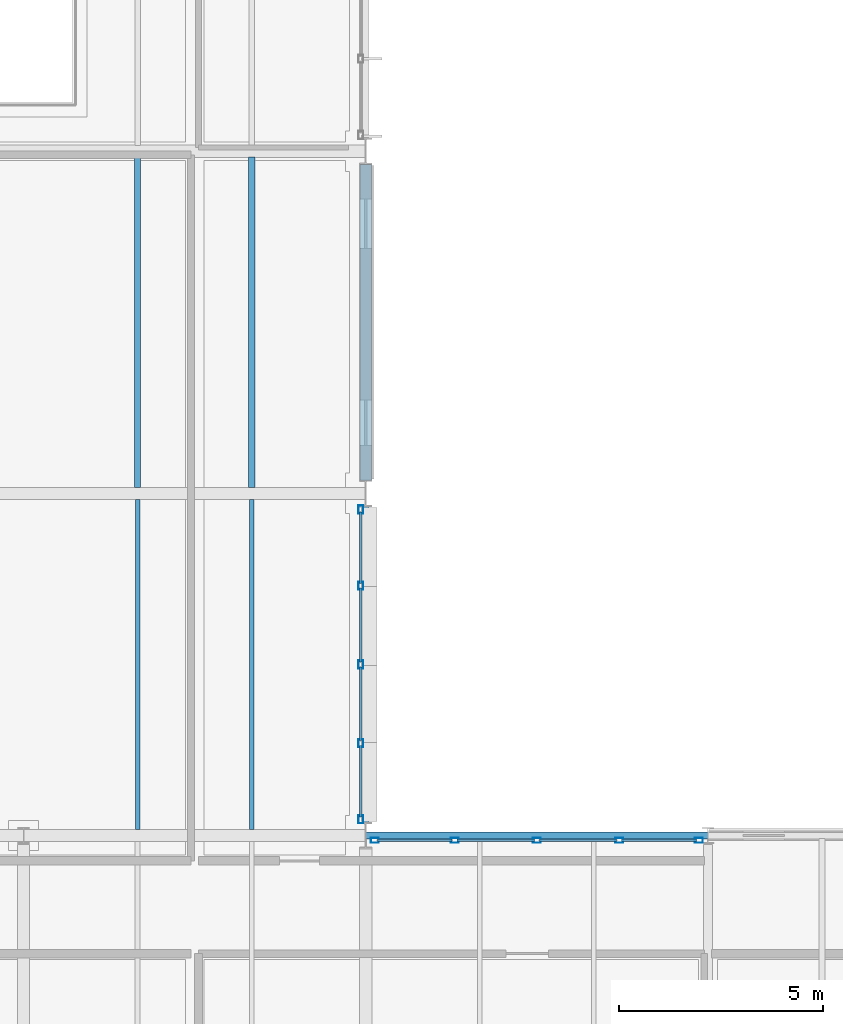
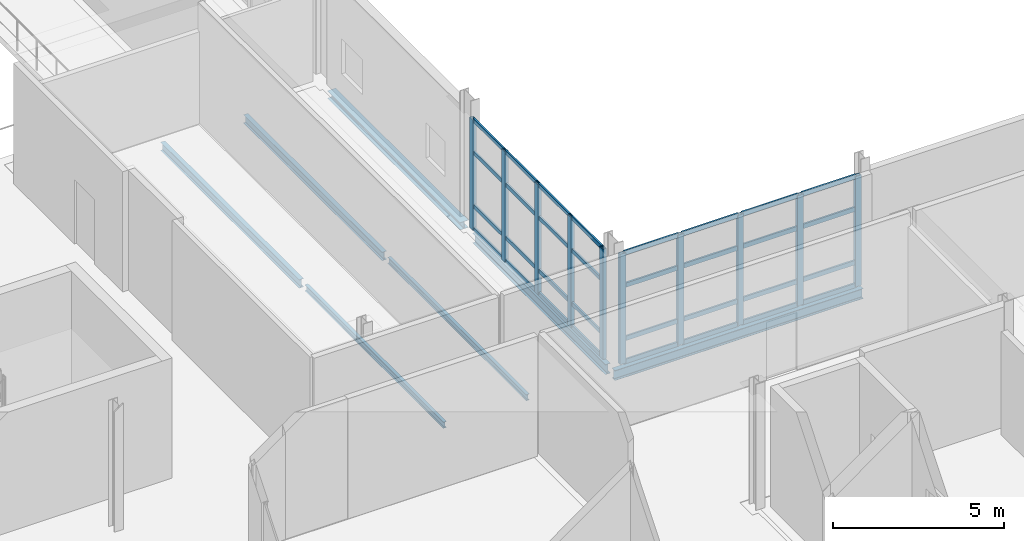
# One storey, part 33 of 129: 42 members, 7 beams, 2 elements without a shape of their own.
"""IFC4 building model written with IfcOpenShell, lengths in metres."""

from ifc_helpers import new_model, si_unit, direction, frame, origin, origin_2d, place, context, subcontext, project, spatial, hollow_rectangle, i_section, extrude, material, material_profile, profile_set, type_object, element, aggregate, save


model = new_model("IFC4")

# Units and contexts
model_context = context("Model", 3, precision=1e-05, world=origin(), true_north=direction((0.0, 1.0)))
body_context = subcontext(model_context, "Body", "Model", "MODEL_VIEW")
ifc_project = project(units=[si_unit("LENGTHUNIT", "METRE"), si_unit("AREAUNIT", "SQUARE_METRE"), si_unit("VOLUMEUNIT", "CUBIC_METRE"), si_unit("PLANEANGLEUNIT", "RADIAN"), si_unit("MASSUNIT", "GRAM", prefix="KILO")], contexts=[model_context])

# Site, building, storey
site_placement = place(None, origin())
site = spatial("IfcSite", under=ifc_project, at=site_placement, CompositionType="ELEMENT")
building_placement = place(site_placement, origin())
building = spatial("IfcBuilding", under=site, at=building_placement, Name="Mersafa Astral City Hall", CompositionType="ELEMENT")
storey_placement = place(building_placement, frame((0.0, 0.0, 5.39990234375)))
storey = spatial("IfcBuildingStorey", under=building, at=storey_placement, Name="L01", CompositionType="ELEMENT", Elevation=5.39990234375)

# Curtain wall, members
ifc_material_1 = material(Name="Anodised bronze aluminium framing", Category="aluminium")
curtain_wall_type_1 = type_object("IfcCurtainWallType", Name="ENV-CW-5", PredefinedType="USERDEFINED", material=ifc_material_1)
curtain_wall_1_placement = place(storey_placement, origin())
curtain_wall_1 = element("IfcCurtainWall", 1, at=curtain_wall_1_placement, inside=storey, type_object=curtain_wall_type_1, Name="L01 Unitised solar curtain wall 52", ObjectType="UNITISED CURTAIN WALL", PredefinedType="USERDEFINED")
ifc_material_profile_1 = material_profile(ifc_material_1, hollow_rectangle(XDim=0.1201171875, YDim=0.199951171875, WallThickness=0.008056640625, at=origin_2d()), Name="RHS 120x200x8")
ifc_profile_set_1 = profile_set([ifc_material_profile_1], Name="Anodised bronze aluminium framing")
member_type_1 = type_object("IfcMemberType", Name="ENV-CW-MUL-2", PredefinedType="MULLION", material=ifc_profile_set_1)
member_1_placement = place(storey_placement, frame((125.778076171875, 33.47998046875, -0.001953125), z_axis=(0.0, 0.0, 1.0), x_axis=(0.0, -1.0, 0.0)))
member_1 = element("IfcMember", 2, at=member_1_placement, type_object=member_type_1, Name="CW-5 mullion 1", PredefinedType="MULLION", context=body_context, shape_type="SweptSolid", body=[
    extrude(hollow_rectangle(XDim=0.1201171875, YDim=0.199951171875, WallThickness=0.008056640625, at=origin_2d()), origin(), (0.0, 0.0, 1.0), 3.93896484375),
])
member_2_placement = place(storey_placement, frame((123.819091796875, 33.47998046875, -0.001953125), z_axis=(0.0, 0.0, 1.0), x_axis=(0.0, -1.0, 0.0)))
member_2 = element("IfcMember", 3, at=member_2_placement, type_object=member_type_1, Name="CW-5 mullion 2", PredefinedType="MULLION", context=body_context, shape_type="SweptSolid", body=[
    extrude(hollow_rectangle(XDim=0.1201171875, YDim=0.199951171875, WallThickness=0.008056640625, at=origin_2d()), origin(), (0.0, 0.0, 1.0), 3.93896484375),
])
member_3_placement = place(storey_placement, frame((121.800048828125, 33.47998046875, -0.001953125), z_axis=(0.0, 0.0, 1.0), x_axis=(0.0, -1.0, 0.0)))
member_3 = element("IfcMember", 4, at=member_3_placement, type_object=member_type_1, Name="CW-5 mullion 3", PredefinedType="MULLION", context=body_context, shape_type="SweptSolid", body=[
    extrude(hollow_rectangle(XDim=0.1201171875, YDim=0.199951171875, WallThickness=0.008056640625, at=origin_2d()), origin(), (0.0, 0.0, 1.0), 3.93896484375),
])
member_4_placement = place(storey_placement, frame((119.781005859375, 33.47998046875, -0.001953125), z_axis=(0.0, 0.0, 1.0), x_axis=(0.0, -1.0, 0.0)))
member_4 = element("IfcMember", 5, at=member_4_placement, type_object=member_type_1, Name="CW-5 mullion 4", PredefinedType="MULLION", context=body_context, shape_type="SweptSolid", body=[
    extrude(hollow_rectangle(XDim=0.1201171875, YDim=0.199951171875, WallThickness=0.008056640625, at=origin_2d()), origin(), (0.0, 0.0, 1.0), 3.93896484375),
])
member_5_placement = place(storey_placement, frame((117.822021484375, 33.47998046875, -0.001953125), z_axis=(0.0, 0.0, 1.0), x_axis=(0.0, -1.0, 0.0)))
member_5 = element("IfcMember", 6, at=member_5_placement, type_object=member_type_1, Name="CW-5 mullion 5", PredefinedType="MULLION", context=body_context, shape_type="SweptSolid", body=[
    extrude(hollow_rectangle(XDim=0.1201171875, YDim=0.199951171875, WallThickness=0.008056640625, at=origin_2d()), origin(), (0.0, 0.0, 1.0), 3.93896484375),
])

curtain_wall_type_2 = type_object("IfcCurtainWallType", Name="ENV-CW-6", PredefinedType="USERDEFINED", material=ifc_material_1)
curtain_wall_2_placement = place(storey_placement, origin())
curtain_wall_2 = element("IfcCurtainWall", 7, at=curtain_wall_2_placement, inside=storey, type_object=curtain_wall_type_2, Name="L01 Unitised solar curtain wall 53", ObjectType="UNITISED CURTAIN WALL", PredefinedType="USERDEFINED")
member_6_placement = place(storey_placement, frame((117.47998046875, 33.9970703125, -0.001953125), z_axis=(0.0, 0.0, 1.0), x_axis=(-1.0, 0.0, 0.0)))
member_6 = element("IfcMember", 8, at=member_6_placement, type_object=member_type_1, Name="CW-6 mullion 1", PredefinedType="MULLION", context=body_context, shape_type="SweptSolid", body=[
    extrude(hollow_rectangle(XDim=0.1201171875, YDim=0.199951171875, WallThickness=0.008056640625, at=origin_2d()), origin(), (0.0, 0.0, 1.0), 3.93896484375),
])
member_7_placement = place(storey_placement, frame((117.47998046875, 35.868408203125, -0.001953125), z_axis=(0.0, 0.0, 1.0), x_axis=(-1.0, 0.0, 0.0)))
member_7 = element("IfcMember", 9, at=member_7_placement, type_object=member_type_1, Name="CW-6 mullion 2", PredefinedType="MULLION", context=body_context, shape_type="SweptSolid", body=[
    extrude(hollow_rectangle(XDim=0.1201171875, YDim=0.199951171875, WallThickness=0.008056640625, at=origin_2d()), origin(), (0.0, 0.0, 1.0), 3.93896484375),
])
member_8_placement = place(storey_placement, frame((117.47998046875, 37.800048828125, -0.001953125), z_axis=(0.0, 0.0, 1.0), x_axis=(-1.0, 0.0, 0.0)))
member_8 = element("IfcMember", 10, at=member_8_placement, type_object=member_type_1, Name="CW-6 mullion 3", PredefinedType="MULLION", context=body_context, shape_type="SweptSolid", body=[
    extrude(hollow_rectangle(XDim=0.1201171875, YDim=0.199951171875, WallThickness=0.008056640625, at=origin_2d()), origin(), (0.0, 0.0, 1.0), 3.93896484375),
])
member_9_placement = place(storey_placement, frame((117.47998046875, 39.7314453125, -0.001953125), z_axis=(0.0, 0.0, 1.0), x_axis=(-1.0, 0.0, 0.0)))
member_9 = element("IfcMember", 11, at=member_9_placement, type_object=member_type_1, Name="CW-6 mullion 4", PredefinedType="MULLION", context=body_context, shape_type="SweptSolid", body=[
    extrude(hollow_rectangle(XDim=0.1201171875, YDim=0.199951171875, WallThickness=0.008056640625, at=origin_2d()), origin(), (0.0, 0.0, 1.0), 3.93896484375),
])
member_10_placement = place(storey_placement, frame((117.47998046875, 41.60302734375, -0.001953125), z_axis=(0.0, 0.0, 1.0), x_axis=(-1.0, 0.0, 0.0)))
member_10 = element("IfcMember", 12, at=member_10_placement, type_object=member_type_1, Name="CW-6 mullion 5", PredefinedType="MULLION", context=body_context, shape_type="SweptSolid", body=[
    extrude(hollow_rectangle(XDim=0.1201171875, YDim=0.199951171875, WallThickness=0.008056640625, at=origin_2d()), origin(), (0.0, 0.0, 1.0), 3.93896484375),
])
ifc_material_profile_2 = material_profile(ifc_material_1, hollow_rectangle(XDim=0.06005859375, YDim=0.139892578125, WallThickness=0.00390625, at=origin_2d()), Name="RHS 60x140x4")
ifc_profile_set_2 = profile_set([ifc_material_profile_2], Name="Anodised bronze aluminium framing")
member_type_2 = type_object("IfcMemberType", Name="ENV-CW-TRN-1", PredefinedType="USERDEFINED", material=ifc_profile_set_2)
member_11_placement = place(storey_placement, frame((117.47998046875, 34.056884765625, 0.028076171875), z_axis=(0.0, 1.0, 0.0), x_axis=(-1.0, 0.0, 0.0)))
member_11 = element("IfcMember", 13, at=member_11_placement, type_object=member_type_2, Name="CW-6 transom 1.1", ObjectType="TRANSOM", PredefinedType="USERDEFINED", context=body_context, shape_type="SweptSolid", body=[
    extrude(hollow_rectangle(XDim=0.06005859375, YDim=0.139892578125, WallThickness=0.00390625, at=origin_2d()), origin(), (0.0, 0.0, 1.0), 1.751708984375),
])
member_12_placement = place(storey_placement, frame((117.47998046875, 34.056884765625, 0.85009765625), z_axis=(0.0, 1.0, 0.0), x_axis=(-1.0, 0.0, 0.0)))
member_12 = element("IfcMember", 14, at=member_12_placement, type_object=member_type_2, Name="CW-6 transom 1.2", ObjectType="TRANSOM", PredefinedType="USERDEFINED", context=body_context, shape_type="SweptSolid", body=[
    extrude(hollow_rectangle(XDim=0.06005859375, YDim=0.139892578125, WallThickness=0.00390625, at=origin_2d()), origin(), (0.0, 0.0, 1.0), 1.751708984375),
])
member_13_placement = place(storey_placement, frame((117.47998046875, 34.056884765625, 2.75), z_axis=(0.0, 1.0, 0.0), x_axis=(-1.0, 0.0, 0.0)))
member_13 = element("IfcMember", 15, at=member_13_placement, type_object=member_type_2, Name="CW-6 transom 1.3", ObjectType="TRANSOM", PredefinedType="USERDEFINED", context=body_context, shape_type="SweptSolid", body=[
    extrude(hollow_rectangle(XDim=0.06005859375, YDim=0.139892578125, WallThickness=0.00390625, at=origin_2d()), origin(), (0.0, 0.0, 1.0), 1.751708984375),
])
member_14_placement = place(storey_placement, frame((117.47998046875, 34.056884765625, 3.906982421875), z_axis=(0.0, 1.0, 0.0), x_axis=(-1.0, 0.0, 0.0)))
member_14 = element("IfcMember", 16, at=member_14_placement, type_object=member_type_2, Name="CW-6 transom 1.4", ObjectType="TRANSOM", PredefinedType="USERDEFINED", context=body_context, shape_type="SweptSolid", body=[
    extrude(hollow_rectangle(XDim=0.06005859375, YDim=0.139892578125, WallThickness=0.00390625, at=origin_2d()), origin(), (0.0, 0.0, 1.0), 1.751708984375),
])
member_15_placement = place(storey_placement, frame((117.47998046875, 35.928466796875, 0.028076171875), z_axis=(0.0, 1.0, 0.0), x_axis=(-1.0, 0.0, 0.0)))
member_15 = element("IfcMember", 17, at=member_15_placement, type_object=member_type_2, Name="CW-6 transom 2.1", ObjectType="TRANSOM", PredefinedType="USERDEFINED", context=body_context, shape_type="SweptSolid", body=[
    extrude(hollow_rectangle(XDim=0.06005859375, YDim=0.139892578125, WallThickness=0.00390625, at=origin_2d()), origin(), (0.0, 0.0, 1.0), 1.8115234375),
])
member_16_placement = place(storey_placement, frame((117.47998046875, 35.928466796875, 0.85009765625), z_axis=(0.0, 1.0, 0.0), x_axis=(-1.0, 0.0, 0.0)))
member_16 = element("IfcMember", 18, at=member_16_placement, type_object=member_type_2, Name="CW-6 transom 2.2", ObjectType="TRANSOM", PredefinedType="USERDEFINED", context=body_context, shape_type="SweptSolid", body=[
    extrude(hollow_rectangle(XDim=0.06005859375, YDim=0.139892578125, WallThickness=0.00390625, at=origin_2d()), origin(), (0.0, 0.0, 1.0), 1.8115234375),
])
member_17_placement = place(storey_placement, frame((117.47998046875, 35.928466796875, 2.75), z_axis=(0.0, 1.0, 0.0), x_axis=(-1.0, 0.0, 0.0)))
member_17 = element("IfcMember", 19, at=member_17_placement, type_object=member_type_2, Name="CW-6 transom 2.3", ObjectType="TRANSOM", PredefinedType="USERDEFINED", context=body_context, shape_type="SweptSolid", body=[
    extrude(hollow_rectangle(XDim=0.06005859375, YDim=0.139892578125, WallThickness=0.00390625, at=origin_2d()), origin(), (0.0, 0.0, 1.0), 1.8115234375),
])
member_18_placement = place(storey_placement, frame((117.47998046875, 35.928466796875, 3.906982421875), z_axis=(0.0, 1.0, 0.0), x_axis=(-1.0, 0.0, 0.0)))
member_18 = element("IfcMember", 20, at=member_18_placement, type_object=member_type_2, Name="CW-6 transom 2.4", ObjectType="TRANSOM", PredefinedType="USERDEFINED", context=body_context, shape_type="SweptSolid", body=[
    extrude(hollow_rectangle(XDim=0.06005859375, YDim=0.139892578125, WallThickness=0.00390625, at=origin_2d()), origin(), (0.0, 0.0, 1.0), 1.8115234375),
])
member_19_placement = place(storey_placement, frame((117.47998046875, 37.860107421875, 0.028076171875), z_axis=(0.0, 1.0, 0.0), x_axis=(-1.0, 0.0, 0.0)))
member_19 = element("IfcMember", 21, at=member_19_placement, type_object=member_type_2, Name="CW-6 transom 3.1", ObjectType="TRANSOM", PredefinedType="USERDEFINED", context=body_context, shape_type="SweptSolid", body=[
    extrude(hollow_rectangle(XDim=0.06005859375, YDim=0.139892578125, WallThickness=0.00390625, at=origin_2d()), origin(), (0.0, 0.0, 1.0), 1.811279296875),
])
member_20_placement = place(storey_placement, frame((117.47998046875, 37.860107421875, 0.85009765625), z_axis=(0.0, 1.0, 0.0), x_axis=(-1.0, 0.0, 0.0)))
member_20 = element("IfcMember", 22, at=member_20_placement, type_object=member_type_2, Name="CW-6 transom 3.2", ObjectType="TRANSOM", PredefinedType="USERDEFINED", context=body_context, shape_type="SweptSolid", body=[
    extrude(hollow_rectangle(XDim=0.06005859375, YDim=0.139892578125, WallThickness=0.00390625, at=origin_2d()), origin(), (0.0, 0.0, 1.0), 1.811279296875),
])
member_21_placement = place(storey_placement, frame((117.47998046875, 37.860107421875, 2.75), z_axis=(0.0, 1.0, 0.0), x_axis=(-1.0, 0.0, 0.0)))
member_21 = element("IfcMember", 23, at=member_21_placement, type_object=member_type_2, Name="CW-6 transom 3.3", ObjectType="TRANSOM", PredefinedType="USERDEFINED", context=body_context, shape_type="SweptSolid", body=[
    extrude(hollow_rectangle(XDim=0.06005859375, YDim=0.139892578125, WallThickness=0.00390625, at=origin_2d()), origin(), (0.0, 0.0, 1.0), 1.811279296875),
])
member_22_placement = place(storey_placement, frame((117.47998046875, 37.860107421875, 3.906982421875), z_axis=(0.0, 1.0, 0.0), x_axis=(-1.0, 0.0, 0.0)))
member_22 = element("IfcMember", 24, at=member_22_placement, type_object=member_type_2, Name="CW-6 transom 3.4", ObjectType="TRANSOM", PredefinedType="USERDEFINED", context=body_context, shape_type="SweptSolid", body=[
    extrude(hollow_rectangle(XDim=0.06005859375, YDim=0.139892578125, WallThickness=0.00390625, at=origin_2d()), origin(), (0.0, 0.0, 1.0), 1.811279296875),
])
member_23_placement = place(storey_placement, frame((117.47998046875, 39.79150390625, 0.028076171875), z_axis=(0.0, 1.0, 0.0), x_axis=(-1.0, 0.0, 0.0)))
member_23 = element("IfcMember", 25, at=member_23_placement, type_object=member_type_2, Name="CW-6 transom 4.1", ObjectType="TRANSOM", PredefinedType="USERDEFINED", context=body_context, shape_type="SweptSolid", body=[
    extrude(hollow_rectangle(XDim=0.06005859375, YDim=0.139892578125, WallThickness=0.00390625, at=origin_2d()), origin(), (0.0, 0.0, 1.0), 1.75146484375),
])
member_24_placement = place(storey_placement, frame((117.47998046875, 39.79150390625, 0.85009765625), z_axis=(0.0, 1.0, 0.0), x_axis=(-1.0, 0.0, 0.0)))
member_24 = element("IfcMember", 26, at=member_24_placement, type_object=member_type_2, Name="CW-6 transom 4.2", ObjectType="TRANSOM", PredefinedType="USERDEFINED", context=body_context, shape_type="SweptSolid", body=[
    extrude(hollow_rectangle(XDim=0.06005859375, YDim=0.139892578125, WallThickness=0.00390625, at=origin_2d()), origin(), (0.0, 0.0, 1.0), 1.75146484375),
])
member_25_placement = place(storey_placement, frame((117.47998046875, 39.79150390625, 2.75), z_axis=(0.0, 1.0, 0.0), x_axis=(-1.0, 0.0, 0.0)))
member_25 = element("IfcMember", 27, at=member_25_placement, type_object=member_type_2, Name="CW-6 transom 4.3", ObjectType="TRANSOM", PredefinedType="USERDEFINED", context=body_context, shape_type="SweptSolid", body=[
    extrude(hollow_rectangle(XDim=0.06005859375, YDim=0.139892578125, WallThickness=0.00390625, at=origin_2d()), origin(), (0.0, 0.0, 1.0), 1.75146484375),
])
member_26_placement = place(storey_placement, frame((117.47998046875, 39.79150390625, 3.906982421875), z_axis=(0.0, 1.0, 0.0), x_axis=(-1.0, 0.0, 0.0)))
member_26 = element("IfcMember", 28, at=member_26_placement, type_object=member_type_2, Name="CW-6 transom 4.4", ObjectType="TRANSOM", PredefinedType="USERDEFINED", context=body_context, shape_type="SweptSolid", body=[
    extrude(hollow_rectangle(XDim=0.06005859375, YDim=0.139892578125, WallThickness=0.00390625, at=origin_2d()), origin(), (0.0, 0.0, 1.0), 1.75146484375),
])
aggregate(curtain_wall_2, [member_6, member_7, member_8, member_9, member_10, member_11, member_12, member_13, member_14, member_15, member_16, member_17, member_18, member_19, member_20, member_21, member_22, member_23, member_24, member_25, member_26])

# Member
ifc_material_profile_3 = material_profile(ifc_material_1, hollow_rectangle(XDim=0.06005859375, YDim=0.159912109375, WallThickness=0.00390625, at=origin_2d()), Name="RHS 60x160x4")
ifc_profile_set_3 = profile_set([ifc_material_profile_3], Name="Anodised bronze aluminium framing")
member_type_3 = type_object("IfcMemberType", Name="ENV-CW-TRN-2", PredefinedType="USERDEFINED", material=ifc_profile_set_3)
member_27_placement = place(storey_placement, frame((125.718017578125, 33.47998046875, 0.028076171875), z_axis=(-1.0, 0.0, 0.0), x_axis=(0.0, -1.0, 0.0)))
member_27 = element("IfcMember", 29, at=member_27_placement, type_object=member_type_3, Name="CW-5 transom 1.1", ObjectType="TRANSOM", PredefinedType="USERDEFINED", context=body_context, shape_type="SweptSolid", body=[
    extrude(hollow_rectangle(XDim=0.06005859375, YDim=0.159912109375, WallThickness=0.00390625, at=origin_2d()), origin(), (0.0, 0.0, 1.0), 1.839111328125),
])

member_28_placement = place(storey_placement, frame((125.718017578125, 33.47998046875, 0.85009765625), z_axis=(-1.0, 0.0, 0.0), x_axis=(0.0, -1.0, 0.0)))
member_28 = element("IfcMember", 30, at=member_28_placement, type_object=member_type_3, Name="CW-5 transom 1.2", ObjectType="TRANSOM", PredefinedType="USERDEFINED", context=body_context, shape_type="SweptSolid", body=[
    extrude(hollow_rectangle(XDim=0.06005859375, YDim=0.159912109375, WallThickness=0.00390625, at=origin_2d()), origin(), (0.0, 0.0, 1.0), 1.839111328125),
])

member_29_placement = place(storey_placement, frame((125.718017578125, 33.47998046875, 2.75), z_axis=(-1.0, 0.0, 0.0), x_axis=(0.0, -1.0, 0.0)))
member_29 = element("IfcMember", 31, at=member_29_placement, type_object=member_type_3, Name="CW-5 transom 1.3", ObjectType="TRANSOM", PredefinedType="USERDEFINED", context=body_context, shape_type="SweptSolid", body=[
    extrude(hollow_rectangle(XDim=0.06005859375, YDim=0.159912109375, WallThickness=0.00390625, at=origin_2d()), origin(), (0.0, 0.0, 1.0), 1.839111328125),
])

member_30_placement = place(storey_placement, frame((125.718017578125, 33.47998046875, 3.906982421875), z_axis=(-1.0, 0.0, 0.0), x_axis=(0.0, -1.0, 0.0)))
member_30 = element("IfcMember", 32, at=member_30_placement, type_object=member_type_3, Name="CW-5 transom 1.4", ObjectType="TRANSOM", PredefinedType="USERDEFINED", context=body_context, shape_type="SweptSolid", body=[
    extrude(hollow_rectangle(XDim=0.06005859375, YDim=0.159912109375, WallThickness=0.00390625, at=origin_2d()), origin(), (0.0, 0.0, 1.0), 1.839111328125),
])

member_31_placement = place(storey_placement, frame((123.759033203125, 33.47998046875, 0.028076171875), z_axis=(-1.0, 0.0, 0.0), x_axis=(0.0, -1.0, 0.0)))
member_31 = element("IfcMember", 33, at=member_31_placement, type_object=member_type_3, Name="CW-5 transom 2.1", ObjectType="TRANSOM", PredefinedType="USERDEFINED", context=body_context, shape_type="SweptSolid", body=[
    extrude(hollow_rectangle(XDim=0.06005859375, YDim=0.159912109375, WallThickness=0.00390625, at=origin_2d()), origin(), (0.0, 0.0, 1.0), 1.89892578125),
])

member_32_placement = place(storey_placement, frame((123.759033203125, 33.47998046875, 0.85009765625), z_axis=(-1.0, 0.0, 0.0), x_axis=(0.0, -1.0, 0.0)))
member_32 = element("IfcMember", 34, at=member_32_placement, type_object=member_type_3, Name="CW-5 transom 2.2", ObjectType="TRANSOM", PredefinedType="USERDEFINED", context=body_context, shape_type="SweptSolid", body=[
    extrude(hollow_rectangle(XDim=0.06005859375, YDim=0.159912109375, WallThickness=0.00390625, at=origin_2d()), origin(), (0.0, 0.0, 1.0), 1.89892578125),
])

member_33_placement = place(storey_placement, frame((123.759033203125, 33.47998046875, 2.75), z_axis=(-1.0, 0.0, 0.0), x_axis=(0.0, -1.0, 0.0)))
member_33 = element("IfcMember", 35, at=member_33_placement, type_object=member_type_3, Name="CW-5 transom 2.3", ObjectType="TRANSOM", PredefinedType="USERDEFINED", context=body_context, shape_type="SweptSolid", body=[
    extrude(hollow_rectangle(XDim=0.06005859375, YDim=0.159912109375, WallThickness=0.00390625, at=origin_2d()), origin(), (0.0, 0.0, 1.0), 1.89892578125),
])

member_34_placement = place(storey_placement, frame((123.759033203125, 33.47998046875, 3.906982421875), z_axis=(-1.0, 0.0, 0.0), x_axis=(0.0, -1.0, 0.0)))
member_34 = element("IfcMember", 36, at=member_34_placement, type_object=member_type_3, Name="CW-5 transom 2.4", ObjectType="TRANSOM", PredefinedType="USERDEFINED", context=body_context, shape_type="SweptSolid", body=[
    extrude(hollow_rectangle(XDim=0.06005859375, YDim=0.159912109375, WallThickness=0.00390625, at=origin_2d()), origin(), (0.0, 0.0, 1.0), 1.89892578125),
])

member_35_placement = place(storey_placement, frame((121.739990234375, 33.47998046875, 0.028076171875), z_axis=(-1.0, 0.0, 0.0), x_axis=(0.0, -1.0, 0.0)))
member_35 = element("IfcMember", 37, at=member_35_placement, type_object=member_type_3, Name="CW-5 transom 3.1", ObjectType="TRANSOM", PredefinedType="USERDEFINED", context=body_context, shape_type="SweptSolid", body=[
    extrude(hollow_rectangle(XDim=0.06005859375, YDim=0.159912109375, WallThickness=0.00390625, at=origin_2d()), origin(), (0.0, 0.0, 1.0), 1.89892578125),
])

member_36_placement = place(storey_placement, frame((121.739990234375, 33.47998046875, 0.85009765625), z_axis=(-1.0, 0.0, 0.0), x_axis=(0.0, -1.0, 0.0)))
member_36 = element("IfcMember", 38, at=member_36_placement, type_object=member_type_3, Name="CW-5 transom 3.2", ObjectType="TRANSOM", PredefinedType="USERDEFINED", context=body_context, shape_type="SweptSolid", body=[
    extrude(hollow_rectangle(XDim=0.06005859375, YDim=0.159912109375, WallThickness=0.00390625, at=origin_2d()), origin(), (0.0, 0.0, 1.0), 1.89892578125),
])

member_37_placement = place(storey_placement, frame((121.739990234375, 33.47998046875, 2.75), z_axis=(-1.0, 0.0, 0.0), x_axis=(0.0, -1.0, 0.0)))
member_37 = element("IfcMember", 39, at=member_37_placement, type_object=member_type_3, Name="CW-5 transom 3.3", ObjectType="TRANSOM", PredefinedType="USERDEFINED", context=body_context, shape_type="SweptSolid", body=[
    extrude(hollow_rectangle(XDim=0.06005859375, YDim=0.159912109375, WallThickness=0.00390625, at=origin_2d()), origin(), (0.0, 0.0, 1.0), 1.89892578125),
])

member_38_placement = place(storey_placement, frame((121.739990234375, 33.47998046875, 3.906982421875), z_axis=(-1.0, 0.0, 0.0), x_axis=(0.0, -1.0, 0.0)))
member_38 = element("IfcMember", 40, at=member_38_placement, type_object=member_type_3, Name="CW-5 transom 3.4", ObjectType="TRANSOM", PredefinedType="USERDEFINED", context=body_context, shape_type="SweptSolid", body=[
    extrude(hollow_rectangle(XDim=0.06005859375, YDim=0.159912109375, WallThickness=0.00390625, at=origin_2d()), origin(), (0.0, 0.0, 1.0), 1.89892578125),
])

member_39_placement = place(storey_placement, frame((119.720947265625, 33.47998046875, 0.028076171875), z_axis=(-1.0, 0.0, 0.0), x_axis=(0.0, -1.0, 0.0)))
member_39 = element("IfcMember", 41, at=member_39_placement, type_object=member_type_3, Name="CW-5 transom 4.1", ObjectType="TRANSOM", PredefinedType="USERDEFINED", context=body_context, shape_type="SweptSolid", body=[
    extrude(hollow_rectangle(XDim=0.06005859375, YDim=0.159912109375, WallThickness=0.00390625, at=origin_2d()), origin(), (0.0, 0.0, 1.0), 1.8388671875),
])

member_40_placement = place(storey_placement, frame((119.720947265625, 33.47998046875, 0.85009765625), z_axis=(-1.0, 0.0, 0.0), x_axis=(0.0, -1.0, 0.0)))
member_40 = element("IfcMember", 42, at=member_40_placement, type_object=member_type_3, Name="CW-5 transom 4.2", ObjectType="TRANSOM", PredefinedType="USERDEFINED", context=body_context, shape_type="SweptSolid", body=[
    extrude(hollow_rectangle(XDim=0.06005859375, YDim=0.159912109375, WallThickness=0.00390625, at=origin_2d()), origin(), (0.0, 0.0, 1.0), 1.8388671875),
])

member_41_placement = place(storey_placement, frame((119.720947265625, 33.47998046875, 2.75), z_axis=(-1.0, 0.0, 0.0), x_axis=(0.0, -1.0, 0.0)))
member_41 = element("IfcMember", 43, at=member_41_placement, type_object=member_type_3, Name="CW-5 transom 4.3", ObjectType="TRANSOM", PredefinedType="USERDEFINED", context=body_context, shape_type="SweptSolid", body=[
    extrude(hollow_rectangle(XDim=0.06005859375, YDim=0.159912109375, WallThickness=0.00390625, at=origin_2d()), origin(), (0.0, 0.0, 1.0), 1.8388671875),
])

member_42_placement = place(storey_placement, frame((119.720947265625, 33.47998046875, 3.906982421875), z_axis=(-1.0, 0.0, 0.0), x_axis=(0.0, -1.0, 0.0)))
member_42 = element("IfcMember", 44, at=member_42_placement, type_object=member_type_3, Name="CW-5 transom 4.4", ObjectType="TRANSOM", PredefinedType="USERDEFINED", context=body_context, shape_type="SweptSolid", body=[
    extrude(hollow_rectangle(XDim=0.06005859375, YDim=0.159912109375, WallThickness=0.00390625, at=origin_2d()), origin(), (0.0, 0.0, 1.0), 1.8388671875),
])

aggregate(curtain_wall_1, [member_1, member_2, member_3, member_4, member_5, member_27, member_28, member_29, member_30, member_31, member_32, member_33, member_34, member_35, member_36, member_37, member_38, member_39, member_40, member_41, member_42])

# Beams
ifc_material_2 = material(Name="Steel S355", Category="steel")
ifc_material_profile_4 = material_profile(ifc_material_2, i_section(OverallWidth=0.110107421875, OverallDepth=0.219970703125, WebThickness=0.005859375, FlangeThickness=0.00927734375, FilletRadius=0.011962890625, at=origin_2d()), Name="IPE 220")
ifc_profile_set_4 = profile_set([ifc_material_profile_4], Name="Steel S355")
beam_type_1 = type_object("IfcBeamType", Name="STR-BM-JOIST-IPE220", PredefinedType="JOIST", material=ifc_profile_set_4)
for number, where, z_axis, x_axis, name in (
    (45, (112.0, 33.7451171875, -0.3349609375), (0.0, 1.0, 0.0), (-1.0, 0.0, 0.0), "L01 Composite secondary floor joist 310"),
    (46, (114.800048828125, 33.7451171875, -0.3349609375), (0.0, 1.0, 0.0), (-1.0, 0.0, 0.0), "L01 Composite secondary floor joist 311"),
):
    element("IfcBeam", number, at=place(storey_placement, frame(where, z_axis=z_axis, x_axis=x_axis)), inside=storey, type_object=beam_type_1, Name=name, PredefinedType="JOIST", context=body_context, shape_type="SweptSolid", body=[
        extrude(i_section(OverallWidth=0.110107421875, OverallDepth=0.219970703125, WebThickness=0.005859375, FlangeThickness=0.00927734375, FilletRadius=0.011962890625, at=origin_2d()), origin(), (0.0, 0.0, 1.0), 8.10986328125),
    ])
ifc_material_profile_5 = material_profile(ifc_material_2, i_section(OverallWidth=0.14990234375, OverallDepth=0.300048828125, WebThickness=0.007080078125, FlangeThickness=0.0107421875, FilletRadius=0.014892578125, at=origin_2d()), Name="IPE 300")
ifc_profile_set_5 = profile_set([ifc_material_profile_5], Name="Steel S355")
beam_type_2 = type_object("IfcBeamType", Name="STR-BM-JOIST-IPE300", PredefinedType="JOIST", material=ifc_profile_set_5)
for number, where, z_axis, x_axis, name in (
    (47, (112.0, 42.14501953125, -0.375), (0.0, 1.0, 0.0), (-1.0, 0.0, 0.0), "L01 Composite secondary floor joist 312"),
    (48, (114.800048828125, 42.14501953125, -0.375), (0.0, 1.0, 0.0), (-1.0, 0.0, 0.0), "L01 Composite secondary floor joist 313"),
):
    element("IfcBeam", number, at=place(storey_placement, frame(where, z_axis=z_axis, x_axis=x_axis)), inside=storey, type_object=beam_type_2, Name=name, PredefinedType="JOIST", context=body_context, shape_type="SweptSolid", body=[
        extrude(i_section(OverallWidth=0.14990234375, OverallDepth=0.300048828125, WebThickness=0.007080078125, FlangeThickness=0.0107421875, FilletRadius=0.014892578125, at=origin_2d()), origin(), (0.0, 0.0, 1.0), 8.10986328125),
    ])
ifc_material_profile_6 = material_profile(ifc_material_2, i_section(OverallWidth=0.280029296875, OverallDepth=0.27001953125, WebThickness=0.008056640625, FlangeThickness=0.012939453125, FilletRadius=0.02392578125, at=origin_2d()), Name="HEA 280")
ifc_profile_set_6 = profile_set([ifc_material_profile_6], Name="Steel S355")
beam_type_3 = type_object("IfcBeamType", Name="STR-BM-SPANDREL-HEA280", PredefinedType="SPANDREL", material=ifc_profile_set_6)
beam_1_placement = place(storey_placement, frame((117.60009765625, 42.320068359375, -0.35986328125), z_axis=(0.0, 1.0, 0.0), x_axis=(-1.0, 0.0, 0.0)))
element("IfcBeam", 49, at=beam_1_placement, inside=storey, type_object=beam_type_3, Name="L01 Primary girder Y 14-5", PredefinedType="SPANDREL", context=body_context, shape_type="SweptSolid", body=[
    extrude(i_section(OverallWidth=0.280029296875, OverallDepth=0.27001953125, WebThickness=0.008056640625, FlangeThickness=0.012939453125, FilletRadius=0.02392578125, at=origin_2d()), origin(), (0.0, 0.0, 1.0), 7.760009765625),
])
ifc_material_profile_7 = material_profile(ifc_material_2, i_section(OverallWidth=0.169921875, OverallDepth=0.360107421875, WebThickness=0.008056640625, FlangeThickness=0.0126953125, FilletRadius=0.01806640625, at=origin_2d()), Name="IPE 360")
ifc_profile_set_7 = profile_set([ifc_material_profile_7], Name="Steel S355")
beam_type_4 = type_object("IfcBeamType", Name="STR-BM-SPANDREL-IPE360", PredefinedType="SPANDREL", material=ifc_profile_set_7)
beam_2_placement = place(storey_placement, frame((117.60302734375, 33.60009765625, -0.40478515625), z_axis=(1.0, 0.0, 0.0), x_axis=(0.0, 1.0, 0.0)))
element("IfcBeam", 50, at=beam_2_placement, inside=storey, type_object=beam_type_4, Name="L01 Primary girder X 14-4", PredefinedType="SPANDREL", context=body_context, shape_type="SweptSolid", body=[
    extrude(i_section(OverallWidth=0.169921875, OverallDepth=0.360107421875, WebThickness=0.008056640625, FlangeThickness=0.0126953125, FilletRadius=0.01806640625, at=origin_2d()), origin(), (0.0, 0.0, 1.0), 8.39404296875),
])
beam_3_placement = place(storey_placement, frame((117.60009765625, 33.919921875, -0.40478515625), z_axis=(0.0, 1.0, 0.0), x_axis=(-1.0, 0.0, 0.0)))
element("IfcBeam", 51, at=beam_3_placement, inside=storey, type_object=beam_type_4, Name="L01 Primary girder Y 14-4", PredefinedType="SPANDREL", context=body_context, shape_type="SweptSolid", body=[
    extrude(i_section(OverallWidth=0.169921875, OverallDepth=0.360107421875, WebThickness=0.008056640625, FlangeThickness=0.0126953125, FilletRadius=0.01806640625, at=origin_2d()), origin(), (0.0, 0.0, 1.0), 7.760009765625),
])

save(model, "model.ifc")
